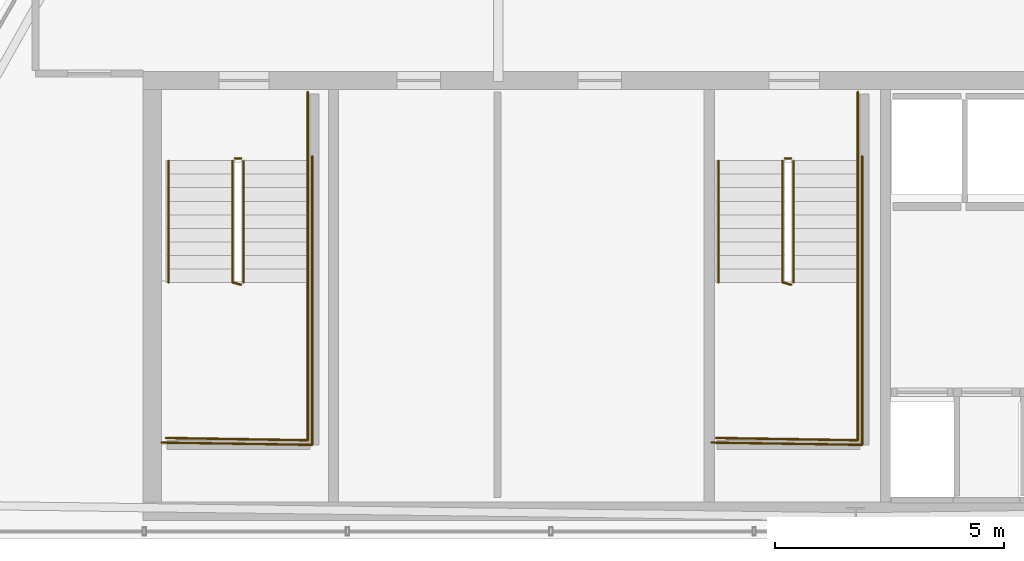
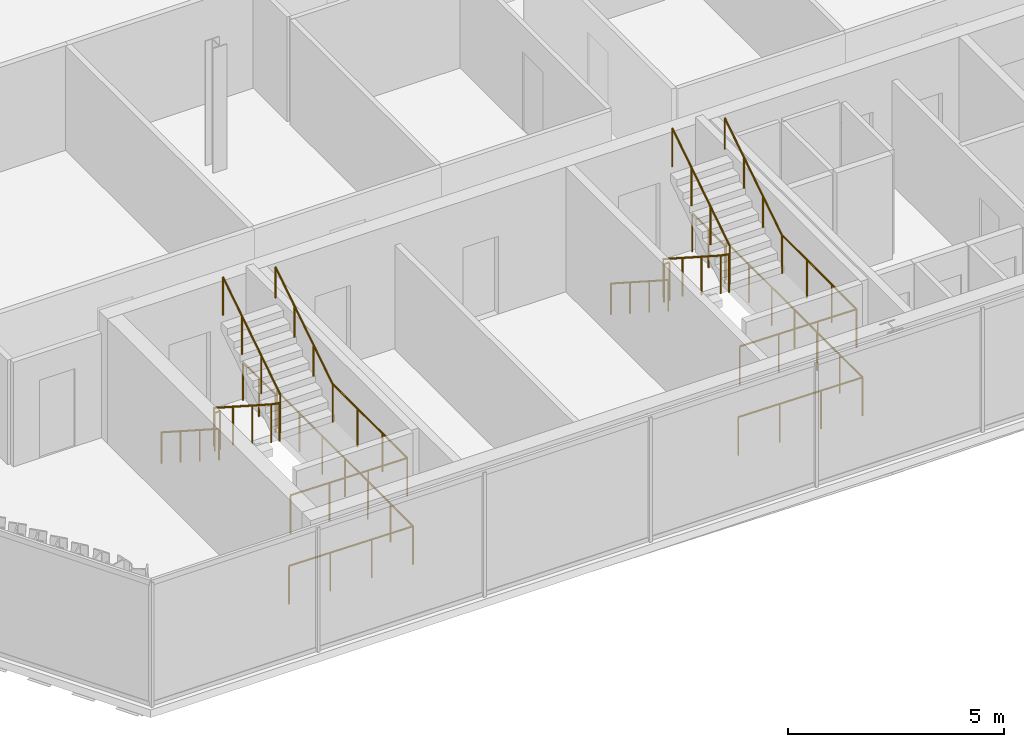
# One storey, part 33 of 35: 16 railings.
"""IFC4 building model written with IfcOpenShell, lengths in metres."""

import ifcopenshell
import ifcopenshell.guid

model = None  # the IFC model being written
_history = None  # IfcOwnerHistory: only IFC2X3 demands one
_inside = {}  # id of a spatial element -> (the spatial element, [elements in it])
_under = {}  # id of a project, library or spatial element -> (it, [spatial elements below it])
_declared = {}  # id of a project -> (the project, [libraries it declares])
_typed = {}  # id of a type object -> (the type object, [elements of that type])
_made_of = {}  # id of a material, layer set ... -> (it, [elements and type objects made of it])


def new_model(schema):
    """Start an empty IFC model of exactly this schema.

    Asked for "IFC4X3", IfcOpenShell would pick the latest addendum, in which some entities
    have other attributes; the version numbers below select the first issue.
    IFC2X3 requires an IfcOwnerHistory on every rooted entity: one is made here for all.
    """
    global model, _history
    if schema == "IFC4X3":
        model = ifcopenshell.file(schema_version=(4, 3, 0, 0))
    else:
        model = ifcopenshell.file(schema=schema)
    _inside.clear()
    _under.clear()
    _declared.clear()
    _typed.clear()
    _made_of.clear()
    _history = None
    if model.schema == "IFC2X3":
        org = make("IfcOrganization", Name="unknown")
        user = make(
            "IfcPersonAndOrganization",
            ThePerson=make("IfcPerson", FamilyName="unknown"),
            TheOrganization=org,
        )
        app = make(
            "IfcApplication",
            ApplicationDeveloper=org,
            Version="unknown",
            ApplicationFullName="unknown",
            ApplicationIdentifier="unknown",
        )
        _history = make(
            "IfcOwnerHistory",
            OwningUser=user,
            OwningApplication=app,
            ChangeAction="ADDED",
            CreationDate=0,
        )
    return model


def make(cls, **values):
    """One entity of the class cls with the attributes given. An attribute that is None is left unset."""
    return model.create_entity(
        cls, **{name: value for name, value in values.items() if value is not None}
    )


def rooted(cls, **values):
    """An entity with a GlobalId (a new one), such as an element, a storey or a relation."""
    return make(cls, GlobalId=ifcopenshell.guid.new(), OwnerHistory=_history, **values)


def si_unit(unit_type, name, prefix=None):
    """IfcSIUnit, for example si_unit("LENGTHUNIT", "METRE", prefix="MILLI")."""
    return make("IfcSIUnit", UnitType=unit_type, Prefix=prefix, Name=name)


def assignment(units):
    """IfcUnitAssignment: the units of a project."""
    return None if units is None else make("IfcUnitAssignment", Units=units)


def point(xyz):
    """IfcCartesianPoint."""
    return None if xyz is None else make("IfcCartesianPoint", Coordinates=xyz)


def direction(xyz):
    """IfcDirection."""
    return None if xyz is None else make("IfcDirection", DirectionRatios=xyz)


def frame(location, z_axis=None, x_axis=None):
    """IfcAxis2Placement3D, a coordinate frame: its origin and axes. An axis left out is left unset."""
    return make(
        "IfcAxis2Placement3D",
        Location=point(location),
        Axis=direction(z_axis),
        RefDirection=direction(x_axis),
    )


def frame_2d(location, x_axis=None):
    """IfcAxis2Placement2D, a coordinate frame in the plane: its origin and x axis."""
    return make(
        "IfcAxis2Placement2D", Location=point(location), RefDirection=direction(x_axis)
    )


def origin():
    """The frame at (0, 0, 0) with its axes left unset."""
    return frame((0.0, 0.0, 0.0))


def origin_2d():
    """The frame at (0, 0) in the plane with its x axis left unset."""
    return frame_2d((0.0, 0.0))


def place(relative_to, where):
    """IfcLocalPlacement: puts the frame where relative to a parent placement (None: the world)."""
    return make(
        "IfcLocalPlacement", PlacementRelTo=relative_to, RelativePlacement=where
    )


def context(
    kind, dimensions, precision=None, world=None, true_north=None, identifier=None
):
    """IfcGeometricRepresentationContext, for example the 3D "Model" context."""
    return make(
        "IfcGeometricRepresentationContext",
        ContextIdentifier=identifier,
        ContextType=kind,
        CoordinateSpaceDimension=dimensions,
        Precision=precision,
        WorldCoordinateSystem=world,
        TrueNorth=true_north,
    )


def subcontext(parent, identifier, kind, view, scale=None):
    """IfcGeometricRepresentationSubContext, for example "Body" below "Model"."""
    return make(
        "IfcGeometricRepresentationSubContext",
        ContextIdentifier=identifier,
        ContextType=kind,
        ParentContext=parent,
        TargetScale=scale,
        TargetView=view,
    )


def project(units=None, contexts=None):
    """IfcProject with its units and contexts."""
    return rooted(
        "IfcProject",
        Name="project",
        RepresentationContexts=contexts,
        UnitsInContext=assignment(units),
    )


def spatial(cls, under=None, at=None, **own):
    """A site, building, storey or space (cls), placed at a placement, below another one or the project."""
    s = rooted(cls, ObjectPlacement=at, **own)
    if under is not None:
        _under.setdefault(under.id(), (under, []))[1].append(s)
    return s


def profile(cls, at=None, kind="AREA", **sizes):
    """A parametric profile (cls). Its sizes go by their IFC names, for example OverallWidth=200.0."""
    return make(cls, ProfileType=kind, Position=at, **sizes)


def circle(**sizes):
    """IfcCircleProfileDef."""
    return profile("IfcCircleProfileDef", **sizes)


def extrude(swept, where, along, depth):
    """IfcExtrudedAreaSolid: the profile swept, set in the frame where, extruded along a direction by depth."""
    return make(
        "IfcExtrudedAreaSolid",
        SweptArea=swept,
        Position=where,
        ExtrudedDirection=direction(along),
        Depth=depth,
    )


def shape(context_of_items, identifier, shape_type, items):
    """IfcShapeRepresentation: the items that make up one representation, for example the "Body"."""
    return make(
        "IfcShapeRepresentation",
        ContextOfItems=context_of_items,
        RepresentationIdentifier=identifier,
        RepresentationType=shape_type,
        Items=items,
    )


def material(Name=None, Category=None):
    """IfcMaterial."""
    return make("IfcMaterial", Name=Name, Category=Category)


def layer(
    of_material, thickness, ventilated=None, Name=None, Category=None, Priority=None
):
    """IfcMaterialLayer: one layer of a wall or slab, of a material (None: an air gap)."""
    return make(
        "IfcMaterialLayer",
        Material=of_material,
        LayerThickness=thickness,
        IsVentilated=ventilated,
        Name=Name,
        Category=Category,
        Priority=Priority,
    )


def layer_set(layers, Name=None):
    """IfcMaterialLayerSet."""
    return make("IfcMaterialLayerSet", MaterialLayers=layers, LayerSetName=Name)


def made_of(thing, what):
    """Note that an element or type object is made of a material, layer set ...; save() writes the relation."""
    if what is not None:
        _made_of.setdefault(what.id(), (what, []))[1].append(thing)
    return thing


def type_object(cls, material=None, **own):
    """A type object (cls), such as IfcWallType, which elements share."""
    return made_of(rooted(cls, **own), material)


def element(
    cls,
    number,
    at=None,
    inside=None,
    cuts=None,
    type_object=None,
    material=None,
    context=None,
    identifier="Body",
    shape_type=None,
    held_by="IfcProductDefinitionShape",
    body=None,
    shapes=None,
    **own,
):
    """One element of the class cls, such as IfcWall. Its Tag is "e" and its number.

    at: its placement. inside: the storey or other place that contains it. cuts: it is an
    opening in that element (IfcRelVoidsElement). A single representation is given by context,
    identifier, shape_type and body (its items); several are given by shapes. held_by: the class
    of the entity that holds the representations. save() writes the other relations.
    """
    e = rooted(cls, Tag="e%d" % number, ObjectPlacement=at, **own)
    if body is not None:
        shapes = [shape(context, identifier, shape_type, body)]
    if shapes is not None:
        e.Representation = make(held_by, Representations=shapes)
    if inside is not None:
        _inside.setdefault(inside.id(), (inside, []))[1].append(e)
    if cuts is not None:
        rooted(
            "IfcRelVoidsElement", RelatingBuildingElement=cuts, RelatedOpeningElement=e
        )
    if type_object is not None:
        _typed.setdefault(type_object.id(), (type_object, []))[1].append(e)
    return made_of(e, material)


def aggregate(whole, parts):
    """IfcRelAggregates: a whole, such as a stair, and the parts it consists of."""
    return rooted("IfcRelAggregates", RelatingObject=whole, RelatedObjects=parts)


def save(model, path):
    """Write the relations noted so far, then the file.

    IfcRelAggregates (storeys below a building ...), IfcRelContainedInSpatialStructure (elements
    in a storey), IfcRelDefinesByType, IfcRelAssociatesMaterial and IfcRelDeclares: one each for
    every whole, place, type object, material and project.
    """
    for whole, parts in _under.values():
        aggregate(whole, parts)
    for where, things in _inside.values():
        rooted(
            "IfcRelContainedInSpatialStructure",
            RelatedElements=things,
            RelatingStructure=where,
        )
    for kind, things in _typed.values():
        rooted("IfcRelDefinesByType", RelatedObjects=things, RelatingType=kind)
    for what, things in _made_of.values():
        rooted("IfcRelAssociatesMaterial", RelatedObjects=things, RelatingMaterial=what)
    for by, libraries in _declared.values():
        rooted("IfcRelDeclares", RelatingContext=by, RelatedDefinitions=libraries)
    model.write(path)


model = new_model("IFC4")

# Units and contexts
model_context = context("Model", 3, precision=1e-05, world=origin(), true_north=direction((0.0, 1.0)))
body_context = subcontext(model_context, "Body", "Model", "MODEL_VIEW")
ifc_project = project(units=[si_unit("LENGTHUNIT", "METRE"), si_unit("AREAUNIT", "SQUARE_METRE"), si_unit("VOLUMEUNIT", "CUBIC_METRE"), si_unit("PLANEANGLEUNIT", "RADIAN"), si_unit("MASSUNIT", "GRAM", prefix="KILO")], contexts=[model_context])

# Site, building, storey
site_placement = place(None, origin())
site = spatial("IfcSite", under=ifc_project, at=site_placement, CompositionType="ELEMENT")
building_placement = place(site_placement, origin())
building = spatial("IfcBuilding", under=site, at=building_placement, Name="Ndaravel Arena Tower", CompositionType="ELEMENT")
storey_placement = place(building_placement, frame((0.0, 0.0, 275.0)))
storey = spatial("IfcBuildingStorey", under=building, at=storey_placement, Name="L67", CompositionType="ELEMENT", Elevation=275.0)

# Railings
ifc_material_1 = material(Name="Steel S355", Category="steel")
ifc_layer_1 = layer(ifc_material_1, 0.06005859375)
ifc_layer_set_1 = layer_set([ifc_layer_1], Name="Steel S355")
railing_type_1 = type_object("IfcRailingType", Name="RAIL-STAIR-GD1100", PredefinedType="GUARDRAIL", material=ifc_layer_set_1)
railing_1_placement = place(storey_placement, frame((28.39990234375, 13.25, 0.18994140625)))
element("IfcRailing", 1, at=railing_1_placement, inside=storey, type_object=railing_type_1, Name="L67 ST-1 stair guard 1", PredefinedType="GUARDRAIL", context=body_context, shape_type="SweptSolid", body=[
    extrude(circle(Radius=0.02392578125, at=origin_2d()), frame((0.0, 0.0, 1.076171875), z_axis=(0.0, -0.840723540582, 0.54146461409), x_axis=(1.0, 0.0, 0.0)), (0.0, 0.0, 1.0), 3.157958984375),
    extrude(circle(Radius=0.02392578125, at=origin_2d()), frame((0.0, -2.655029296875, 2.7861328125), z_axis=(0.967074537263, -0.25449329928, 0.0), x_axis=(0.25449329928, 0.967074537263, 0.0)), (0.0, 0.0, 1.0), 0.19677734375),
    extrude(circle(Radius=0.02099609375, at=origin_2d()), origin(), (0.0, 0.0, 1.0), 1.052001953125),
    extrude(circle(Radius=0.02099609375, at=origin_2d()), frame((0.0, -0.885009765625, 0.570068359375)), (0.0, 0.0, 1.0), 1.052001953125),
    extrude(circle(Radius=0.02099609375, at=origin_2d()), frame((0.0, -1.77001953125, 1.139892578125)), (0.0, 0.0, 1.0), 1.052001953125),
    extrude(circle(Radius=0.02099609375, at=origin_2d()), frame((0.0, -2.655029296875, 1.7099609375)), (0.0, 0.0, 1.0), 1.052001953125),
    extrude(circle(Radius=0.02099609375, at=origin_2d()), frame((0.190185546875, -2.705078125, 1.7099609375)), (0.0, 0.0, 1.0), 1.052001953125),
])
railing_2_placement = place(storey_placement, frame((30.0400390625, 10.594970703125, 1.89990234375)))
element("IfcRailing", 2, at=railing_2_placement, inside=storey, type_object=railing_type_1, Name="L67 ST-1 stair guard 2", PredefinedType="GUARDRAIL", context=body_context, shape_type="SweptSolid", body=[
    extrude(circle(Radius=0.02392578125, at=origin_2d()), frame((0.0, 0.0, 1.076171875), z_axis=(0.0, -1.0, 0.0), x_axis=(1.0, 0.0, 0.0)), (0.0, 0.0, 1.0), 3.445068359375),
    extrude(circle(Radius=0.02392578125, at=origin_2d()), frame((0.0, -3.445068359375, 1.076171875), z_axis=(-0.999868861343, 0.016194447071, 0.0), x_axis=(-0.016194447071, -0.999868861343, 0.0)), (0.0, 0.0, 1.0), 3.090576171875),
    extrude(circle(Radius=0.02099609375, at=origin_2d()), origin(), (0.0, 0.0, 1.0), 1.052001953125),
    extrude(circle(Radius=0.02099609375, at=origin_2d()), frame((0.0, -1.1484375, 0.0)), (0.0, 0.0, 1.0), 1.052001953125),
    extrude(circle(Radius=0.02099609375, at=origin_2d()), frame((0.0, -2.296630859375, 0.0)), (0.0, 0.0, 1.0), 1.052001953125),
    extrude(circle(Radius=0.02099609375, at=origin_2d()), frame((0.0, -3.445068359375, 0.0)), (0.0, 0.0, 1.0), 1.052001953125),
    extrude(circle(Radius=0.02099609375, at=origin_2d()), frame((-1.030029296875, -3.428466796875, 0.0)), (0.0, 0.0, 1.0), 1.052001953125),
    extrude(circle(Radius=0.02099609375, at=origin_2d()), frame((-2.06005859375, -3.41162109375, 0.0)), (0.0, 0.0, 1.0), 1.052001953125),
    extrude(circle(Radius=0.02099609375, at=origin_2d()), frame((-3.090087890625, -3.39501953125, 0.0)), (0.0, 0.0, 1.0), 1.052001953125),
])
railing_3_placement = place(storey_placement, frame((28.639892578125, 10.594970703125, 2.090087890625)))
element("IfcRailing", 3, at=railing_3_placement, inside=storey, type_object=railing_type_1, Name="L67 ST-1 stair guard 3", PredefinedType="GUARDRAIL", context=body_context, shape_type="SweptSolid", body=[
    extrude(circle(Radius=0.02392578125, at=origin_2d()), frame((0.0, 0.0, 1.076171875), z_axis=(0.0, 0.840723540582, 0.54146461409), x_axis=(-1.0, 0.0, 0.0)), (0.0, 0.0, 1.0), 3.157958984375),
    extrude(circle(Radius=0.02099609375, at=origin_2d()), origin(), (0.0, 0.0, 1.0), 1.052001953125),
    extrude(circle(Radius=0.02099609375, at=origin_2d()), frame((0.0, 0.885009765625, 0.570068359375)), (0.0, 0.0, 1.0), 1.052001953125),
    extrude(circle(Radius=0.02099609375, at=origin_2d()), frame((0.0, 1.77001953125, 1.139892578125)), (0.0, 0.0, 1.0), 1.052001953125),
    extrude(circle(Radius=0.02099609375, at=origin_2d()), frame((0.0, 2.655029296875, 1.7099609375)), (0.0, 0.0, 1.0), 1.052001953125),
])
railing_4_placement = place(storey_placement, frame((28.449951171875, 13.300048828125, 0.0)))
element("IfcRailing", 4, at=railing_4_placement, inside=storey, type_object=railing_type_1, Name="L67 ST-1 stair guard 4", PredefinedType="GUARDRAIL", context=body_context, shape_type="SweptSolid", body=[
    extrude(circle(Radius=0.02392578125, at=origin_2d()), frame((0.0, 0.0, 1.076171875), z_axis=(1.0, 0.0, 0.0), x_axis=(0.0, 1.0, 0.0)), (0.0, 0.0, 1.0), 0.14013671875),
    extrude(circle(Radius=0.02099609375, at=origin_2d()), origin(), (0.0, 0.0, 1.0), 1.052001953125),
    extrude(circle(Radius=0.02099609375, at=origin_2d()), frame((0.14013671875, 0.0, 0.0)), (0.0, 0.0, 1.0), 1.052001953125),
])
railing_5_placement = place(storey_placement, frame((30.0400390625, 14.75, 0.0)))
element("IfcRailing", 5, at=railing_5_placement, inside=storey, type_object=railing_type_1, Name="L67 ST-1 stair guard 5", PredefinedType="GUARDRAIL", context=body_context, shape_type="SweptSolid", body=[
    extrude(circle(Radius=0.02392578125, at=origin_2d()), frame((0.0, 0.0, 1.076171875), z_axis=(0.0, -1.0, 0.0), x_axis=(1.0, 0.0, 0.0)), (0.0, 0.0, 1.0), 1.5),
    extrude(circle(Radius=0.02099609375, at=origin_2d()), origin(), (0.0, 0.0, 1.0), 1.052001953125),
    extrude(circle(Radius=0.02099609375, at=origin_2d()), frame((0.0, -0.75, 0.0)), (0.0, 0.0, 1.0), 1.052001953125),
    extrude(circle(Radius=0.02099609375, at=origin_2d()), frame((0.0, -1.5, 0.0)), (0.0, 0.0, 1.0), 1.052001953125),
])
railing_6_placement = place(storey_placement, frame((30.139892578125, 13.35009765625, 0.0)))
element("IfcRailing", 6, at=railing_6_placement, inside=storey, type_object=railing_type_1, Name="L67 ST-1 stair guard 6", PredefinedType="GUARDRAIL", context=body_context, shape_type="SweptSolid", body=[
    extrude(circle(Radius=0.02392578125, at=origin_2d()), frame((0.0, 0.0, 1.076171875), z_axis=(0.0, -1.0, 0.0), x_axis=(1.0, 0.0, 0.0)), (0.0, 0.0, 1.0), 6.300048828125),
    extrude(circle(Radius=0.02392578125, at=origin_2d()), frame((0.0, -6.300048828125, 1.076171875), z_axis=(-0.999884296952, 0.015211597839, 0.0), x_axis=(-0.015211597839, -0.999884296952, 0.0)), (0.0, 0.0, 1.0), 3.290283203125),
    extrude(circle(Radius=0.02099609375, at=origin_2d()), origin(), (0.0, 0.0, 1.0), 1.052001953125),
    extrude(circle(Radius=0.02099609375, at=origin_2d()), frame((0.0, -1.050048828125, 0.0)), (0.0, 0.0, 1.0), 1.052001953125),
    extrude(circle(Radius=0.02099609375, at=origin_2d()), frame((0.0, -2.10009765625, 0.0)), (0.0, 0.0, 1.0), 1.052001953125),
    extrude(circle(Radius=0.02099609375, at=origin_2d()), frame((0.0, -3.14990234375, 0.0)), (0.0, 0.0, 1.0), 1.052001953125),
    extrude(circle(Radius=0.02099609375, at=origin_2d()), frame((0.0, -4.199951171875, 0.0)), (0.0, 0.0, 1.0), 1.052001953125),
    extrude(circle(Radius=0.02099609375, at=origin_2d()), frame((0.0, -5.25, 0.0)), (0.0, 0.0, 1.0), 1.052001953125),
    extrude(circle(Radius=0.02099609375, at=origin_2d()), frame((0.0, -6.300048828125, 0.0)), (0.0, 0.0, 1.0), 1.052001953125),
    extrude(circle(Radius=0.02099609375, at=origin_2d()), frame((-1.0966796875, -6.283447265625, 0.0)), (0.0, 0.0, 1.0), 1.052001953125),
    extrude(circle(Radius=0.02099609375, at=origin_2d()), frame((-2.193115234375, -6.2666015625, 0.0)), (0.0, 0.0, 1.0), 1.052001953125),
    extrude(circle(Radius=0.02099609375, at=origin_2d()), frame((-3.289794921875, -6.25, 0.0)), (0.0, 0.0, 1.0), 1.052001953125),
])
railing_7_placement = place(storey_placement, frame((40.39990234375, 13.25, 0.18994140625)))
element("IfcRailing", 7, at=railing_7_placement, inside=storey, type_object=railing_type_1, Name="L67 ST-2 stair guard 1", PredefinedType="GUARDRAIL", context=body_context, shape_type="SweptSolid", body=[
    extrude(circle(Radius=0.02392578125, at=origin_2d()), frame((0.0, 0.0, 1.076171875), z_axis=(0.0, -0.840723540582, 0.54146461409), x_axis=(1.0, 0.0, 0.0)), (0.0, 0.0, 1.0), 3.157958984375),
    extrude(circle(Radius=0.02392578125, at=origin_2d()), frame((0.0, -2.655029296875, 2.7861328125), z_axis=(0.967074537263, -0.25449329928, 0.0), x_axis=(0.25449329928, 0.967074537263, 0.0)), (0.0, 0.0, 1.0), 0.19677734375),
    extrude(circle(Radius=0.02099609375, at=origin_2d()), origin(), (0.0, 0.0, 1.0), 1.052001953125),
    extrude(circle(Radius=0.02099609375, at=origin_2d()), frame((0.0, -0.885009765625, 0.570068359375)), (0.0, 0.0, 1.0), 1.052001953125),
    extrude(circle(Radius=0.02099609375, at=origin_2d()), frame((0.0, -1.77001953125, 1.139892578125)), (0.0, 0.0, 1.0), 1.052001953125),
    extrude(circle(Radius=0.02099609375, at=origin_2d()), frame((0.0, -2.655029296875, 1.7099609375)), (0.0, 0.0, 1.0), 1.052001953125),
    extrude(circle(Radius=0.02099609375, at=origin_2d()), frame((0.190185546875, -2.705078125, 1.7099609375)), (0.0, 0.0, 1.0), 1.052001953125),
])
railing_8_placement = place(storey_placement, frame((42.0400390625, 10.594970703125, 1.89990234375)))
element("IfcRailing", 8, at=railing_8_placement, inside=storey, type_object=railing_type_1, Name="L67 ST-2 stair guard 2", PredefinedType="GUARDRAIL", context=body_context, shape_type="SweptSolid", body=[
    extrude(circle(Radius=0.02392578125, at=origin_2d()), frame((0.0, 0.0, 1.076171875), z_axis=(0.0, -1.0, 0.0), x_axis=(1.0, 0.0, 0.0)), (0.0, 0.0, 1.0), 3.445068359375),
    extrude(circle(Radius=0.02392578125, at=origin_2d()), frame((0.0, -3.445068359375, 1.076171875), z_axis=(-0.999868861343, 0.016194447071, 0.0), x_axis=(-0.016194447071, -0.999868861343, 0.0)), (0.0, 0.0, 1.0), 3.090576171875),
    extrude(circle(Radius=0.02099609375, at=origin_2d()), origin(), (0.0, 0.0, 1.0), 1.052001953125),
    extrude(circle(Radius=0.02099609375, at=origin_2d()), frame((0.0, -1.1484375, 0.0)), (0.0, 0.0, 1.0), 1.052001953125),
    extrude(circle(Radius=0.02099609375, at=origin_2d()), frame((0.0, -2.296630859375, 0.0)), (0.0, 0.0, 1.0), 1.052001953125),
    extrude(circle(Radius=0.02099609375, at=origin_2d()), frame((0.0, -3.445068359375, 0.0)), (0.0, 0.0, 1.0), 1.052001953125),
    extrude(circle(Radius=0.02099609375, at=origin_2d()), frame((-1.030029296875, -3.428466796875, 0.0)), (0.0, 0.0, 1.0), 1.052001953125),
    extrude(circle(Radius=0.02099609375, at=origin_2d()), frame((-2.06005859375, -3.41162109375, 0.0)), (0.0, 0.0, 1.0), 1.052001953125),
    extrude(circle(Radius=0.02099609375, at=origin_2d()), frame((-3.090087890625, -3.39501953125, 0.0)), (0.0, 0.0, 1.0), 1.052001953125),
])
railing_9_placement = place(storey_placement, frame((40.639892578125, 10.594970703125, 2.090087890625)))
element("IfcRailing", 9, at=railing_9_placement, inside=storey, type_object=railing_type_1, Name="L67 ST-2 stair guard 3", PredefinedType="GUARDRAIL", context=body_context, shape_type="SweptSolid", body=[
    extrude(circle(Radius=0.02392578125, at=origin_2d()), frame((0.0, 0.0, 1.076171875), z_axis=(0.0, 0.840723540582, 0.54146461409), x_axis=(-1.0, 0.0, 0.0)), (0.0, 0.0, 1.0), 3.157958984375),
    extrude(circle(Radius=0.02099609375, at=origin_2d()), origin(), (0.0, 0.0, 1.0), 1.052001953125),
    extrude(circle(Radius=0.02099609375, at=origin_2d()), frame((0.0, 0.885009765625, 0.570068359375)), (0.0, 0.0, 1.0), 1.052001953125),
    extrude(circle(Radius=0.02099609375, at=origin_2d()), frame((0.0, 1.77001953125, 1.139892578125)), (0.0, 0.0, 1.0), 1.052001953125),
    extrude(circle(Radius=0.02099609375, at=origin_2d()), frame((0.0, 2.655029296875, 1.7099609375)), (0.0, 0.0, 1.0), 1.052001953125),
])
railing_10_placement = place(storey_placement, frame((40.449951171875, 13.300048828125, 0.0)))
element("IfcRailing", 10, at=railing_10_placement, inside=storey, type_object=railing_type_1, Name="L67 ST-2 stair guard 4", PredefinedType="GUARDRAIL", context=body_context, shape_type="SweptSolid", body=[
    extrude(circle(Radius=0.02392578125, at=origin_2d()), frame((0.0, 0.0, 1.076171875), z_axis=(1.0, 0.0, 0.0), x_axis=(0.0, 1.0, 0.0)), (0.0, 0.0, 1.0), 0.14013671875),
    extrude(circle(Radius=0.02099609375, at=origin_2d()), origin(), (0.0, 0.0, 1.0), 1.052001953125),
    extrude(circle(Radius=0.02099609375, at=origin_2d()), frame((0.14013671875, 0.0, 0.0)), (0.0, 0.0, 1.0), 1.052001953125),
])
railing_11_placement = place(storey_placement, frame((42.0400390625, 14.75, 0.0)))
element("IfcRailing", 11, at=railing_11_placement, inside=storey, type_object=railing_type_1, Name="L67 ST-2 stair guard 5", PredefinedType="GUARDRAIL", context=body_context, shape_type="SweptSolid", body=[
    extrude(circle(Radius=0.02392578125, at=origin_2d()), frame((0.0, 0.0, 1.076171875), z_axis=(0.0, -1.0, 0.0), x_axis=(1.0, 0.0, 0.0)), (0.0, 0.0, 1.0), 1.5),
    extrude(circle(Radius=0.02099609375, at=origin_2d()), origin(), (0.0, 0.0, 1.0), 1.052001953125),
    extrude(circle(Radius=0.02099609375, at=origin_2d()), frame((0.0, -0.75, 0.0)), (0.0, 0.0, 1.0), 1.052001953125),
    extrude(circle(Radius=0.02099609375, at=origin_2d()), frame((0.0, -1.5, 0.0)), (0.0, 0.0, 1.0), 1.052001953125),
])
railing_12_placement = place(storey_placement, frame((42.139892578125, 13.35009765625, 0.0)))
element("IfcRailing", 12, at=railing_12_placement, inside=storey, type_object=railing_type_1, Name="L67 ST-2 stair guard 6", PredefinedType="GUARDRAIL", context=body_context, shape_type="SweptSolid", body=[
    extrude(circle(Radius=0.02392578125, at=origin_2d()), frame((0.0, 0.0, 1.076171875), z_axis=(0.0, -1.0, 0.0), x_axis=(1.0, 0.0, 0.0)), (0.0, 0.0, 1.0), 6.300048828125),
    extrude(circle(Radius=0.02392578125, at=origin_2d()), frame((0.0, -6.300048828125, 1.076171875), z_axis=(-0.999884296952, 0.015211597839, 0.0), x_axis=(-0.015211597839, -0.999884296952, 0.0)), (0.0, 0.0, 1.0), 3.290283203125),
    extrude(circle(Radius=0.02099609375, at=origin_2d()), origin(), (0.0, 0.0, 1.0), 1.052001953125),
    extrude(circle(Radius=0.02099609375, at=origin_2d()), frame((0.0, -1.050048828125, 0.0)), (0.0, 0.0, 1.0), 1.052001953125),
    extrude(circle(Radius=0.02099609375, at=origin_2d()), frame((0.0, -2.10009765625, 0.0)), (0.0, 0.0, 1.0), 1.052001953125),
    extrude(circle(Radius=0.02099609375, at=origin_2d()), frame((0.0, -3.14990234375, 0.0)), (0.0, 0.0, 1.0), 1.052001953125),
    extrude(circle(Radius=0.02099609375, at=origin_2d()), frame((0.0, -4.199951171875, 0.0)), (0.0, 0.0, 1.0), 1.052001953125),
    extrude(circle(Radius=0.02099609375, at=origin_2d()), frame((0.0, -5.25, 0.0)), (0.0, 0.0, 1.0), 1.052001953125),
    extrude(circle(Radius=0.02099609375, at=origin_2d()), frame((0.0, -6.300048828125, 0.0)), (0.0, 0.0, 1.0), 1.052001953125),
    extrude(circle(Radius=0.02099609375, at=origin_2d()), frame((-1.0966796875, -6.283447265625, 0.0)), (0.0, 0.0, 1.0), 1.052001953125),
    extrude(circle(Radius=0.02099609375, at=origin_2d()), frame((-2.193115234375, -6.2666015625, 0.0)), (0.0, 0.0, 1.0), 1.052001953125),
    extrude(circle(Radius=0.02099609375, at=origin_2d()), frame((-3.289794921875, -6.25, 0.0)), (0.0, 0.0, 1.0), 1.052001953125),
])
ifc_material_2 = material(Name="Steel S355", Category="steel")
ifc_layer_2 = layer(ifc_material_2, 0.050048828125)
ifc_layer_set_2 = layer_set([ifc_layer_2], Name="Steel S355")
railing_type_2 = type_object("IfcRailingType", Name="RAIL-STAIR-HR920", PredefinedType="HANDRAIL", material=ifc_layer_set_2)
railing_13_placement = place(storey_placement, frame((27.0, 13.25, 0.18994140625)))
element("IfcRailing", 13, at=railing_13_placement, inside=storey, type_object=railing_type_2, Name="L67 ST-1 stair handrail 1", PredefinedType="HANDRAIL", context=body_context, shape_type="SweptSolid", body=[
    extrude(circle(Radius=0.02392578125, at=origin_2d()), frame((0.0, 0.0, 0.8759765625), z_axis=(0.0, -0.840723540582, 0.54146461409), x_axis=(1.0, 0.0, 0.0)), (0.0, 0.0, 1.0), 3.157958984375),
    extrude(circle(Radius=0.02099609375, at=origin_2d()), origin(), (0.0, 0.0, 1.0), 0.851806640625),
    extrude(circle(Radius=0.02099609375, at=origin_2d()), frame((0.0, -0.885009765625, 0.570068359375)), (0.0, 0.0, 1.0), 0.851806640625),
    extrude(circle(Radius=0.02099609375, at=origin_2d()), frame((0.0, -1.77001953125, 1.139892578125)), (0.0, 0.0, 1.0), 0.851806640625),
    extrude(circle(Radius=0.02099609375, at=origin_2d()), frame((0.0, -2.655029296875, 1.7099609375)), (0.0, 0.0, 1.0), 0.851806640625),
])
railing_14_placement = place(storey_placement, frame((30.0400390625, 10.594970703125, 2.090087890625)))
element("IfcRailing", 14, at=railing_14_placement, inside=storey, type_object=railing_type_2, Name="L67 ST-1 stair handrail 2", PredefinedType="HANDRAIL", context=body_context, shape_type="SweptSolid", body=[
    extrude(circle(Radius=0.02392578125, at=origin_2d()), frame((0.0, 0.0, 0.8759765625), z_axis=(0.0, 0.840723540582, 0.54146461409), x_axis=(-1.0, 0.0, 0.0)), (0.0, 0.0, 1.0), 3.157958984375),
    extrude(circle(Radius=0.02099609375, at=origin_2d()), origin(), (0.0, 0.0, 1.0), 0.851806640625),
    extrude(circle(Radius=0.02099609375, at=origin_2d()), frame((0.0, 0.885009765625, 0.570068359375)), (0.0, 0.0, 1.0), 0.851806640625),
    extrude(circle(Radius=0.02099609375, at=origin_2d()), frame((0.0, 1.77001953125, 1.139892578125)), (0.0, 0.0, 1.0), 0.851806640625),
    extrude(circle(Radius=0.02099609375, at=origin_2d()), frame((0.0, 2.655029296875, 1.7099609375)), (0.0, 0.0, 1.0), 0.851806640625),
])
railing_15_placement = place(storey_placement, frame((39.0, 13.25, 0.18994140625)))
element("IfcRailing", 15, at=railing_15_placement, inside=storey, type_object=railing_type_2, Name="L67 ST-2 stair handrail 1", PredefinedType="HANDRAIL", context=body_context, shape_type="SweptSolid", body=[
    extrude(circle(Radius=0.02392578125, at=origin_2d()), frame((0.0, 0.0, 0.8759765625), z_axis=(0.0, -0.840723540582, 0.54146461409), x_axis=(1.0, 0.0, 0.0)), (0.0, 0.0, 1.0), 3.157958984375),
    extrude(circle(Radius=0.02099609375, at=origin_2d()), origin(), (0.0, 0.0, 1.0), 0.851806640625),
    extrude(circle(Radius=0.02099609375, at=origin_2d()), frame((0.0, -0.885009765625, 0.570068359375)), (0.0, 0.0, 1.0), 0.851806640625),
    extrude(circle(Radius=0.02099609375, at=origin_2d()), frame((0.0, -1.77001953125, 1.139892578125)), (0.0, 0.0, 1.0), 0.851806640625),
    extrude(circle(Radius=0.02099609375, at=origin_2d()), frame((0.0, -2.655029296875, 1.7099609375)), (0.0, 0.0, 1.0), 0.851806640625),
])
railing_16_placement = place(storey_placement, frame((42.0400390625, 10.594970703125, 2.090087890625)))
element("IfcRailing", 16, at=railing_16_placement, inside=storey, type_object=railing_type_2, Name="L67 ST-2 stair handrail 2", PredefinedType="HANDRAIL", context=body_context, shape_type="SweptSolid", body=[
    extrude(circle(Radius=0.02392578125, at=origin_2d()), frame((0.0, 0.0, 0.8759765625), z_axis=(0.0, 0.840723540582, 0.54146461409), x_axis=(-1.0, 0.0, 0.0)), (0.0, 0.0, 1.0), 3.157958984375),
    extrude(circle(Radius=0.02099609375, at=origin_2d()), origin(), (0.0, 0.0, 1.0), 0.851806640625),
    extrude(circle(Radius=0.02099609375, at=origin_2d()), frame((0.0, 0.885009765625, 0.570068359375)), (0.0, 0.0, 1.0), 0.851806640625),
    extrude(circle(Radius=0.02099609375, at=origin_2d()), frame((0.0, 1.77001953125, 1.139892578125)), (0.0, 0.0, 1.0), 0.851806640625),
    extrude(circle(Radius=0.02099609375, at=origin_2d()), frame((0.0, 2.655029296875, 1.7099609375)), (0.0, 0.0, 1.0), 0.851806640625),
])

save(model, "model.ifc")
